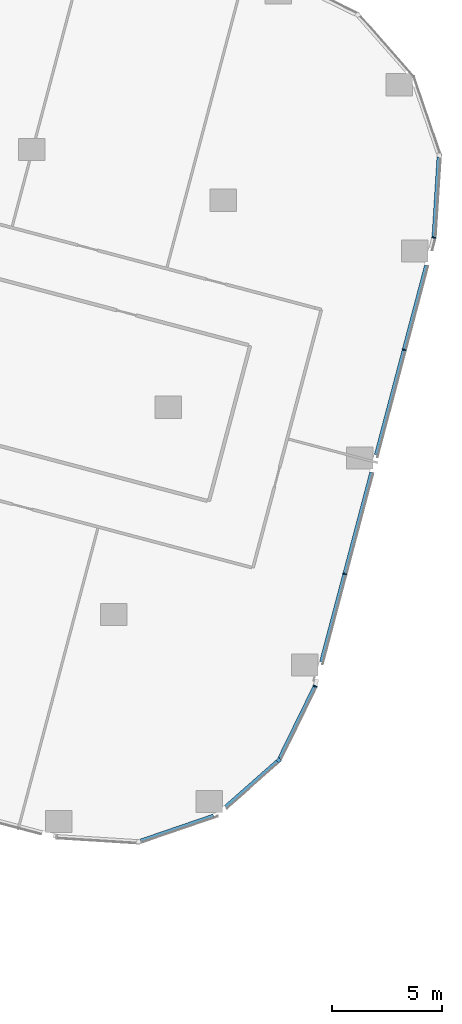
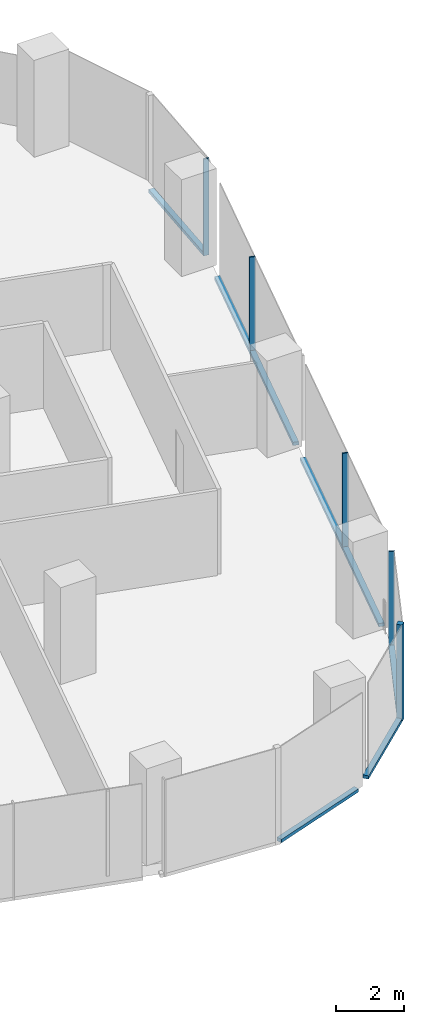
# One storey, part 10 of 35: 11 members, 5 elements without a shape of their own.
"""IFC4 building model written with IfcOpenShell, lengths in metres."""

from ifc_helpers import new_model, si_unit, direction, frame, origin, origin_2d, place, context, subcontext, project, spatial, rectangle, extrude, material, material_profile, profile_set, type_object, element, aggregate, save


model = new_model("IFC4")

# Units and contexts
model_context = context("Model", 3, precision=1e-05, world=origin(), true_north=direction((0.0, 1.0)))
body_context = subcontext(model_context, "Body", "Model", "MODEL_VIEW")
ifc_project = project(units=[si_unit("LENGTHUNIT", "METRE"), si_unit("AREAUNIT", "SQUARE_METRE"), si_unit("VOLUMEUNIT", "CUBIC_METRE"), si_unit("PLANEANGLEUNIT", "RADIAN"), si_unit("MASSUNIT", "GRAM", prefix="KILO")], contexts=[model_context])

# Site, building, storey
site_placement = place(None, origin())
site = spatial("IfcSite", under=ifc_project, at=site_placement, CompositionType="ELEMENT")
building_placement = place(site_placement, origin())
building = spatial("IfcBuilding", under=site, at=building_placement, Name="Orlundy Tower", CompositionType="ELEMENT")
storey_placement = place(building_placement, frame((0.0, 0.0, 116.199951171875)))
storey = spatial("IfcBuildingStorey", under=building, at=storey_placement, Name="L29", CompositionType="ELEMENT", Elevation=116.199951171875)

# Curtain wall, member
ifc_material_1 = material(Name="Aluminium bronze anodised", Category="aluminium")
curtain_wall_type = type_object("IfcCurtainWallType", Name="CW1 wall", PredefinedType="NOTDEFINED", material=ifc_material_1)
curtain_wall_1_placement = place(storey_placement, origin())
curtain_wall_1 = element("IfcCurtainWall", 1, at=curtain_wall_1_placement, inside=storey, type_object=curtain_wall_type, Name="CW1 run 025", PredefinedType="NOTDEFINED")
ifc_material_2 = material(Name="Aluminium bronze anodised", Category="aluminium")
ifc_material_profile_1 = material_profile(ifc_material_2, rectangle(XDim=0.179931640625, YDim=0.179931640625, at=origin_2d()), Name="CW1 corner post 180x180")
ifc_profile_set_1 = profile_set([ifc_material_profile_1], Name="Aluminium bronze anodised")
member_type_1 = type_object("IfcMemberType", Name="CW1 corner post 180x180", PredefinedType="MULLION", material=ifc_profile_set_1)
member_1_placement = place(storey_placement, frame((54.239013671875, -29.023681640625, -0.39990234375), z_axis=(0.0, 0.0, 1.0), x_axis=(0.661478866824, -0.749963804957, 0.0)))
member_1 = element("IfcMember", 2, at=member_1_placement, type_object=member_type_1, Name="CW1 mullion 66", PredefinedType="MULLION", context=body_context, shape_type="SweptSolid", body=[
    extrude(rectangle(XDim=0.179931640625, YDim=0.179931640625, at=origin_2d()), origin(), (0.0, 0.0, 1.0), 3.5),
])

# Curtain wall, members
curtain_wall_2_placement = place(storey_placement, origin())
curtain_wall_2 = element("IfcCurtainWall", 3, at=curtain_wall_2_placement, inside=storey, type_object=curtain_wall_type, Name="CW1 run 023", PredefinedType="NOTDEFINED")
ifc_material_3 = material(Name="Aluminium bronze anodised", Category="aluminium")
ifc_material_profile_2 = material_profile(ifc_material_3, rectangle(XDim=0.179931640625, YDim=0.050048828125, at=origin_2d()), Name="CW1 mullion 50x180")
ifc_profile_set_2 = profile_set([ifc_material_profile_2], Name="Aluminium bronze anodised")
member_type_2 = type_object("IfcMemberType", Name="CW1 mullion 50x180", PredefinedType="MULLION", material=ifc_profile_set_2)
member_2_placement = place(storey_placement, frame((61.26123046875, -5.3525390625, -0.39990234375), z_axis=(0.0, 0.0, 1.0), x_axis=(0.987106713631, -0.160063537088, 0.0)))
member_2 = element("IfcMember", 4, at=member_2_placement, type_object=member_type_2, Name="CW1 mullion 61", PredefinedType="MULLION", context=body_context, shape_type="SweptSolid", body=[
    extrude(rectangle(XDim=0.179931640625, YDim=0.050048828125, at=origin_2d()), origin(), (0.0, 0.0, 1.0), 3.5),
])
member_3_placement = place(storey_placement, frame((59.9150390625, -10.436279296875, -0.39990234375), z_axis=(0.0, 0.0, 1.0), x_axis=(0.966679239296, -0.255990719194, 0.0)))
member_3 = element("IfcMember", 5, at=member_3_placement, type_object=member_type_2, Name="CW1 mullion 62", PredefinedType="MULLION", context=body_context, shape_type="SweptSolid", body=[
    extrude(rectangle(XDim=0.179931640625, YDim=0.050048828125, at=origin_2d()), origin(), (0.0, 0.0, 1.0), 3.5),
])
member_4_placement = place(storey_placement, frame((57.22705078125, -20.586669921875, -0.39990234375), z_axis=(0.0, 0.0, 1.0), x_axis=(0.966679239296, -0.255990719194, 0.0)))
member_4 = element("IfcMember", 6, at=member_4_placement, type_object=member_type_2, Name="CW1 mullion 64", PredefinedType="MULLION", context=body_context, shape_type="SweptSolid", body=[
    extrude(rectangle(XDim=0.179931640625, YDim=0.050048828125, at=origin_2d()), origin(), (0.0, 0.0, 1.0), 3.5),
])

# Curtain wall, member
curtain_wall_3_placement = place(storey_placement, origin())
curtain_wall_3 = element("IfcCurtainWall", 7, at=curtain_wall_3_placement, inside=storey, type_object=curtain_wall_type, Name="CW1 run 024", PredefinedType="NOTDEFINED")
member_5_placement = place(storey_placement, frame((55.880615234375, -25.670654296875, -0.39990234375), z_axis=(0.0, 0.0, 1.0), x_axis=(0.936915365635, -0.349556286795, 0.0)))
member_5 = element("IfcMember", 8, at=member_5_placement, type_object=member_type_2, Name="CW1 mullion 65", PredefinedType="MULLION", context=body_context, shape_type="SweptSolid", body=[
    extrude(rectangle(XDim=0.179931640625, YDim=0.050048828125, at=origin_2d()), origin(), (0.0, 0.0, 1.0), 3.5),
])

curtain_wall_4_placement = place(storey_placement, origin())
curtain_wall_4 = element("IfcCurtainWall", 9, at=curtain_wall_4_placement, inside=storey, type_object=curtain_wall_type, Name="CW1 run 022", PredefinedType="NOTDEFINED")
ifc_material_4 = material(Name="Aluminium bronze anodised", Category="aluminium")
ifc_material_profile_3 = material_profile(ifc_material_4, rectangle(XDim=0.179931640625, YDim=0.1201171875, at=origin_2d()), Name="CW1 transom 180x120")
ifc_profile_set_3 = profile_set([ifc_material_profile_3], Name="Aluminium bronze anodised")
member_type_3 = type_object("IfcMemberType", Name="CW1 transom 180x120", PredefinedType="USERDEFINED", material=ifc_profile_set_3)
member_6_placement = place(storey_placement, frame((61.4892578125, -1.716552734375, -0.33984375), z_axis=(-0.06255473312, -0.998041534889, 0.0), x_axis=(0.998041534889, -0.06255473312, 0.0)))
member_6 = element("IfcMember", 10, at=member_6_placement, type_object=member_type_3, Name="CW1 transom", ObjectType="TRANSOM", PredefinedType="USERDEFINED", context=body_context, shape_type="SweptSolid", body=[
    extrude(rectangle(XDim=0.179931640625, YDim=0.1201171875, at=origin_2d()), origin(), (0.0, 0.0, 1.0), 3.617919921875),
])
aggregate(curtain_wall_4, [member_6])

# Member
member_7_placement = place(storey_placement, frame((60.9287109375, -6.60791015625, -0.33984375), z_axis=(-0.255977891732, -0.966682636104, 0.0), x_axis=(0.966682636104, -0.255977891732, 0.0)))
member_7 = element("IfcMember", 11, at=member_7_placement, type_object=member_type_3, Name="CW1 transom", ObjectType="TRANSOM", PredefinedType="USERDEFINED", context=body_context, shape_type="SweptSolid", body=[
    extrude(rectangle(XDim=0.179931640625, YDim=0.1201171875, at=origin_2d()), origin(), (0.0, 0.0, 1.0), 8.88623046875),
])

member_8_placement = place(storey_placement, frame((58.445556640625, -15.985107421875, -0.33984375), z_axis=(-0.255998288783, -0.966677234727, 0.0), x_axis=(0.966677234727, -0.255998288783, 0.0)))
member_8 = element("IfcMember", 12, at=member_8_placement, type_object=member_type_3, Name="CW1 transom", ObjectType="TRANSOM", PredefinedType="USERDEFINED", context=body_context, shape_type="SweptSolid", body=[
    extrude(rectangle(XDim=0.179931640625, YDim=0.1201171875, at=origin_2d()), origin(), (0.0, 0.0, 1.0), 8.885498046875),
])

aggregate(curtain_wall_2, [member_2, member_3, member_4, member_7, member_8])

member_9_placement = place(storey_placement, frame((55.86962890625, -25.693115234375, -0.33984375), z_axis=(-0.439733905011, -0.898128104885, 0.0), x_axis=(0.898128104885, -0.439733905011, 0.0)))
member_9 = element("IfcMember", 13, at=member_9_placement, type_object=member_type_3, Name="CW1 transom", ObjectType="TRANSOM", PredefinedType="USERDEFINED", context=body_context, shape_type="SweptSolid", body=[
    extrude(rectangle(XDim=0.179931640625, YDim=0.1201171875, at=origin_2d()), origin(), (0.0, 0.0, 1.0), 3.611083984375),
])

aggregate(curtain_wall_3, [member_5, member_9])

member_10_placement = place(storey_placement, frame((54.17138671875, -29.083251953125, -0.33984375), z_axis=(-0.749959050318, -0.661484257444, 0.0), x_axis=(0.661484257444, -0.749959050318, 0.0)))
member_10 = element("IfcMember", 14, at=member_10_placement, type_object=member_type_3, Name="CW1 transom", ObjectType="TRANSOM", PredefinedType="USERDEFINED", context=body_context, shape_type="SweptSolid", body=[
    extrude(rectangle(XDim=0.179931640625, YDim=0.1201171875, at=origin_2d()), origin(), (0.0, 0.0, 1.0), 3.115478515625),
])

aggregate(curtain_wall_1, [member_1, member_10])

# Curtain wall, member
curtain_wall_5_placement = place(storey_placement, origin())
curtain_wall_5 = element("IfcCurtainWall", 15, at=curtain_wall_5_placement, inside=storey, type_object=curtain_wall_type, Name="CW1 run 026", PredefinedType="NOTDEFINED")
member_11_placement = place(storey_placement, frame((51.281494140625, -31.551025390625, -0.33984375), z_axis=(-0.94595208555, -0.324306416594, 0.0), x_axis=(0.324306416594, -0.94595208555, 0.0)))
member_11 = element("IfcMember", 16, at=member_11_placement, type_object=member_type_3, Name="CW1 transom", ObjectType="TRANSOM", PredefinedType="USERDEFINED", context=body_context, shape_type="SweptSolid", body=[
    extrude(rectangle(XDim=0.179931640625, YDim=0.1201171875, at=origin_2d()), origin(), (0.0, 0.0, 1.0), 3.485595703125),
])
aggregate(curtain_wall_5, [member_11])

save(model, "model.ifc")
